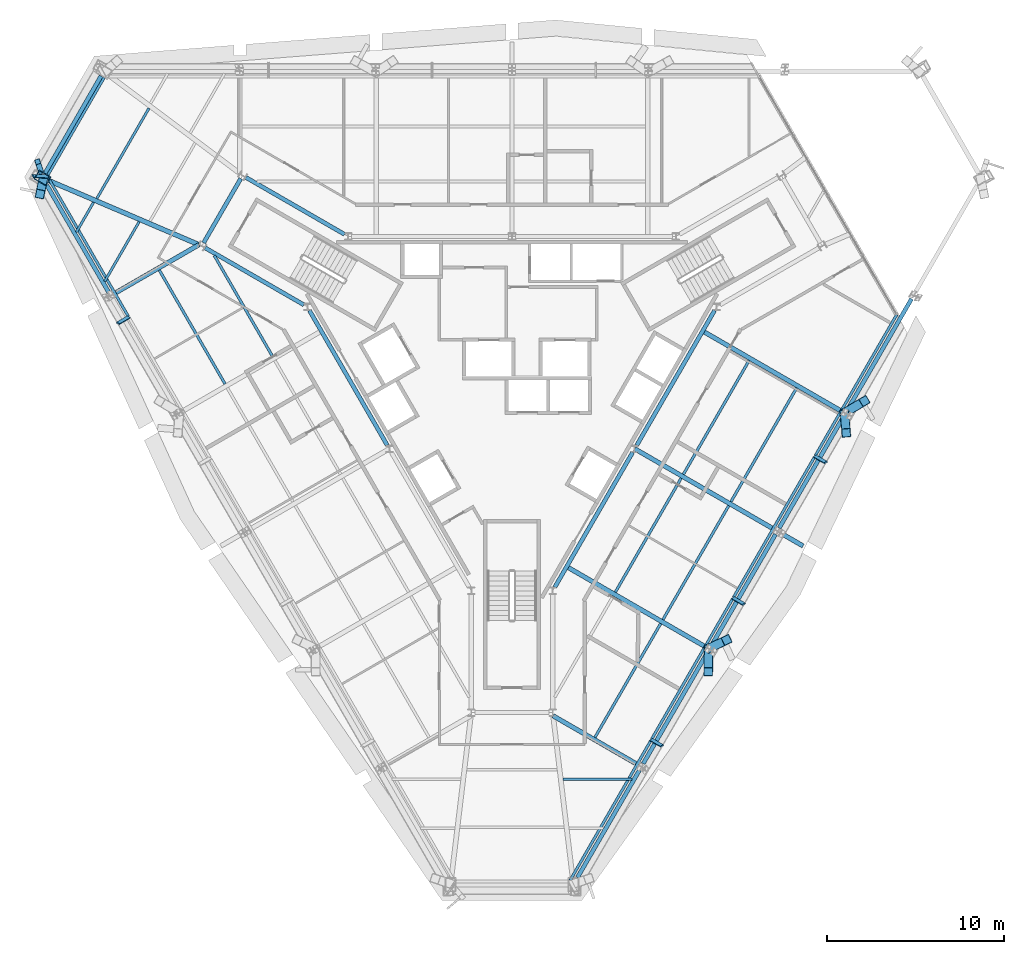
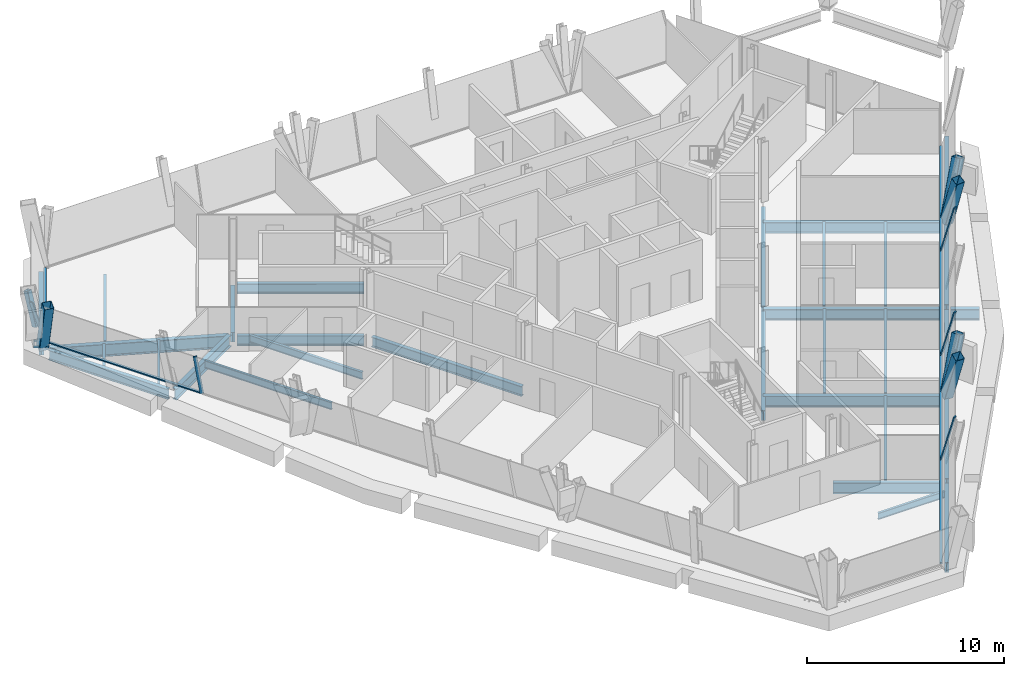
# One storey, part 3 of 12: 31 beams, 18 members, 3 elements without a shape of their own.
"""IFC4 building model written with IfcOpenShell, lengths in metres."""

from ifc_helpers import new_model, si_unit, direction, frame, origin, origin_2d, place, context, subcontext, project, spatial, rectangle, hollow_rectangle, i_section, extrude, material, material_profile, profile_set, type_object, element, aggregate, save


model = new_model("IFC4")

# Units and contexts
model_context = context("Model", 3, precision=1e-05, world=origin(), true_north=direction((0.0, 1.0)))
body_context = subcontext(model_context, "Body", "Model", "MODEL_VIEW")
ifc_project = project(units=[si_unit("LENGTHUNIT", "METRE"), si_unit("AREAUNIT", "SQUARE_METRE"), si_unit("VOLUMEUNIT", "CUBIC_METRE"), si_unit("PLANEANGLEUNIT", "RADIAN"), si_unit("MASSUNIT", "GRAM", prefix="KILO")], contexts=[model_context])

# Site, building, storey
site_placement = place(None, origin())
site = spatial("IfcSite", under=ifc_project, at=site_placement, CompositionType="ELEMENT")
building_placement = place(site_placement, origin())
building = spatial("IfcBuilding", under=site, at=building_placement, Name="Verrane Prism Tower", CompositionType="ELEMENT")
storey_placement = place(building_placement, frame((0.0, 0.0, 174.699951171875)))
storey = spatial("IfcBuildingStorey", under=building, at=storey_placement, Name="L43", CompositionType="ELEMENT", Elevation=174.699951171875)

# Member
ifc_material_1 = material(Name="Steel A500 Grade C", Category="steel")
ifc_material_profile_1 = material_profile(ifc_material_1, hollow_rectangle(XDim=0.3046875, YDim=0.3046875, WallThickness=0.0126953125, InnerFilletRadius=0.00634765625, OuterFilletRadius=0.01904296875, at=origin_2d()), Name="HSS12x12x1/2")
ifc_profile_set_1 = profile_set([ifc_material_profile_1], Name="Steel A500 Grade C")
member_type_1 = type_object("IfcMemberType", Name="Chamfer brace HSS12x12x1/2", PredefinedType="BRACE", material=ifc_profile_set_1)
member_1_placement = place(storey_placement, frame((-26.610107421875, 11.677001953125, 0.903564453125), z_axis=(-0.090665988498, 0.264711239147, 0.960056060029), x_axis=(-0.946046937984, -0.324029614589, 0.0)))
element("IfcMember", 1, at=member_1_placement, inside=storey, type_object=member_type_1, Name="Chamfer brace NW0 L43", PredefinedType="BRACE", context=body_context, shape_type="SweptSolid", body=[
    extrude(hollow_rectangle(XDim=0.3046875, YDim=0.3046875, WallThickness=0.0126953125, InnerFilletRadius=0.00634765625, OuterFilletRadius=0.01904296875, at=origin_2d()), origin(), (0.0, 0.0, 1.0), 2.043701171875),
])

# Beams
ifc_material_2 = material(Name="Steel A992", Category="steel")
ifc_material_profile_2 = material_profile(ifc_material_2, i_section(OverallWidth=0.2666015625, OverallDepth=0.7568359375, WebThickness=0.013916015625, FlangeThickness=0.019287109375, FilletRadius=0.0166015625, at=origin_2d()), Name="W30x108")
ifc_profile_set_2 = profile_set([ifc_material_profile_2], Name="Steel A992")
beam_type_1 = type_object("IfcBeamType", Name="Chamfer spandrel beam W30x108", PredefinedType="SPANDREL", material=ifc_profile_set_2)
beam_1_placement = place(storey_placement, frame((-23.19970703125, 17.050048828125, -0.538330078125), z_axis=(-0.498933745764, -0.866640131391, 0.0), x_axis=(0.866640131391, -0.498933745764, 0.0)))
element("IfcBeam", 2, at=beam_1_placement, inside=storey, type_object=beam_type_1, Name="Chamfer spandrel beam L43", PredefinedType="SPANDREL", context=body_context, shape_type="SweptSolid", body=[
    extrude(i_section(OverallWidth=0.2666015625, OverallDepth=0.7568359375, WebThickness=0.013916015625, FlangeThickness=0.019287109375, FilletRadius=0.0166015625, at=origin_2d()), origin(), (0.0, 0.0, 1.0), 6.334716796875),
])
ifc_material_3 = material(Name="Steel A992", Category="steel")
ifc_material_profile_3 = material_profile(ifc_material_3, i_section(OverallWidth=0.23046875, OverallDepth=0.6171875, WebThickness=0.01318359375, FlangeThickness=0.022216796875, FilletRadius=0.012939453125, at=origin_2d()), Name="W24x94")
ifc_profile_set_3 = profile_set([ifc_material_profile_3], Name="Steel A992")
beam_type_2 = type_object("IfcBeamType", Name="Core ring girder W24x94", PredefinedType="BEAM", material=ifc_profile_set_3)
beam_2_placement = place(storey_placement, frame((-9.460693359375, 8.11572265625, -0.55859375), z_axis=(-0.866075143088, 0.499913839102, 0.0), x_axis=(-0.499913839102, -0.866075143088, 0.0)))
element("IfcBeam", 3, at=beam_2_placement, inside=storey, type_object=beam_type_2, Name="Core ring girder L43", PredefinedType="BEAM", context=body_context, shape_type="SweptSolid", body=[
    extrude(i_section(OverallWidth=0.23046875, OverallDepth=0.6171875, WebThickness=0.01318359375, FlangeThickness=0.022216796875, FilletRadius=0.012939453125, at=origin_2d()), origin(), (0.0, 0.0, 1.0), 6.441650390625),
])
beam_3_placement = place(storey_placement, frame((-15.32177734375, 11.26416015625, -0.55859375), z_axis=(-0.500305747711, -0.865848808284, 0.0), x_axis=(0.865848808284, -0.500305747711, 0.0)))
element("IfcBeam", 4, at=beam_3_placement, inside=storey, type_object=beam_type_2, Name="Core ring girder L43", PredefinedType="BEAM", context=body_context, shape_type="SweptSolid", body=[
    extrude(i_section(OverallWidth=0.23046875, OverallDepth=0.6171875, WebThickness=0.01318359375, FlangeThickness=0.022216796875, FilletRadius=0.012939453125, at=origin_2d()), origin(), (0.0, 0.0, 1.0), 4.1904296875),
])
beam_4_placement = place(storey_placement, frame((-17.339599609375, 7.35595703125, -0.55859375), z_axis=(0.866075143088, -0.499913839102, 0.0), x_axis=(0.499913839102, 0.866075143088, 0.0)))
element("IfcBeam", 5, at=beam_4_placement, inside=storey, type_object=beam_type_2, Name="Core ring girder L43", PredefinedType="BEAM", context=body_context, shape_type="SweptSolid", body=[
    extrude(i_section(OverallWidth=0.23046875, OverallDepth=0.6171875, WebThickness=0.01318359375, FlangeThickness=0.022216796875, FilletRadius=0.012939453125, at=origin_2d()), origin(), (0.0, 0.0, 1.0), 6.441650390625),
])
beam_5_placement = place(storey_placement, frame((-11.44482421875, 3.820556640625, -0.55859375), z_axis=(0.499967414725, -0.866044216084, 0.0), x_axis=(0.866044216084, 0.499967414725, 0.0)))
element("IfcBeam", 6, at=beam_5_placement, inside=storey, type_object=beam_type_2, Name="Core ring girder L43", PredefinedType="BEAM", context=body_context, shape_type="SweptSolid", body=[
    extrude(i_section(OverallWidth=0.23046875, OverallDepth=0.6171875, WebThickness=0.01318359375, FlangeThickness=0.022216796875, FilletRadius=0.012939453125, at=origin_2d()), origin(), (0.0, 0.0, 1.0), 8.7998046875),
])
beam_6_placement = place(storey_placement, frame((2.4150390625, -11.820556640625, -0.55859375), z_axis=(0.499988222896, 0.866032203192, 0.0), x_axis=(-0.866032203192, 0.499988222896, 0.0)))
element("IfcBeam", 7, at=beam_6_placement, inside=storey, type_object=beam_type_2, Name="Core ring girder L43", PredefinedType="BEAM", context=body_context, shape_type="SweptSolid", body=[
    extrude(i_section(OverallWidth=0.23046875, OverallDepth=0.6171875, WebThickness=0.01318359375, FlangeThickness=0.022216796875, FilletRadius=0.012939453125, at=origin_2d()), origin(), (0.0, 0.0, 1.0), 8.800048828125),
])
beam_7_placement = place(storey_placement, frame((7.045166015625, -3.800537109375, -0.55859375), z_axis=(0.499967414725, 0.866044216084, 0.0), x_axis=(-0.866044216084, 0.499967414725, 0.0)))
element("IfcBeam", 8, at=beam_7_placement, inside=storey, type_object=beam_type_2, Name="Core ring girder L43", PredefinedType="BEAM", context=body_context, shape_type="SweptSolid", body=[
    extrude(i_section(OverallWidth=0.23046875, OverallDepth=0.6171875, WebThickness=0.01318359375, FlangeThickness=0.022216796875, FilletRadius=0.012939453125, at=origin_2d()), origin(), (0.0, 0.0, 1.0), 8.7998046875),
])
ifc_material_4 = material(Name="Steel A992", Category="steel")
ifc_material_profile_4 = material_profile(ifc_material_4, i_section(OverallWidth=0.2666015625, OverallDepth=0.76708984375, WebThickness=0.014892578125, FlangeThickness=0.023681640625, FilletRadius=0.0166015625, at=origin_2d()), Name="W30x124")
ifc_profile_set_4 = profile_set([ifc_material_profile_4], Name="Steel A992")
beam_type_3 = type_object("IfcBeamType", Name="Corner girder W30x124", PredefinedType="BEAM", material=ifc_profile_set_4)
beam_8_placement = place(storey_placement, frame((-26.139404296875, 11.1416015625, -0.603515625), z_axis=(0.919628068882, -0.392790293827, 0.0), x_axis=(0.392790293827, 0.919628068882, 0.0)))
element("IfcBeam", 9, at=beam_8_placement, inside=storey, type_object=beam_type_3, Name="Corner girder L43", PredefinedType="BEAM", context=body_context, shape_type="SweptSolid", body=[
    extrude(i_section(OverallWidth=0.2666015625, OverallDepth=0.76708984375, WebThickness=0.014892578125, FlangeThickness=0.023681640625, FilletRadius=0.0166015625, at=origin_2d()), origin(), (0.0, 0.0, 1.0), 9.162841796875),
])

# Members
ifc_material_5 = material(Name="Steel A500 Grade C", Category="steel")
ifc_material_profile_5 = material_profile(ifc_material_5, hollow_rectangle(XDim=0.508056640625, YDim=0.508056640625, WallThickness=0.01904296875, InnerFilletRadius=0.009521484375, OuterFilletRadius=0.028564453125, at=origin_2d()), Name="HSS20x20x3/4")
ifc_profile_set_5 = profile_set([ifc_material_profile_5], Name="Steel A500 Grade C")
member_type_2 = type_object("IfcMemberType", Name="Facade brace HSS20x20x3/4", PredefinedType="BRACE", material=ifc_profile_set_5)
member_2_placement = place(storey_placement, frame((-26.479248046875, 11.24658203125, -0.171630859375), z_axis=(-0.053973187022, -0.26210215717, 0.963529633322), x_axis=(0.979448939725, -0.201692276679, 0.0)))
element("IfcMember", 10, at=member_2_placement, inside=storey, type_object=member_type_2, Name="Facade brace SW0 L43", PredefinedType="BRACE", context=body_context, shape_type="SweptSolid", body=[
    extrude(hollow_rectangle(XDim=0.508056640625, YDim=0.508056640625, WallThickness=0.01904296875, InnerFilletRadius=0.009521484375, OuterFilletRadius=0.028564453125, at=origin_2d()), origin(), (0.0, 0.0, 1.0), 3.2705078125),
])
member_3_placement = place(storey_placement, frame((11.1005859375, -15.395263671875, -0.171630859375), z_axis=(-0.004344610647, -0.355678791673, 0.934598160448), x_axis=(0.999925405434, -0.012214072542, 0.0)))
element("IfcMember", 11, at=member_3_placement, inside=storey, type_object=member_type_2, Name="Facade brace SE1 L43", PredefinedType="BRACE", context=body_context, shape_type="SweptSolid", body=[
    extrude(hollow_rectangle(XDim=0.508056640625, YDim=0.508056640625, WallThickness=0.01904296875, InnerFilletRadius=0.009521484375, OuterFilletRadius=0.028564453125, at=origin_2d()), origin(), (0.0, 0.0, 1.0), 3.37158203125),
])
member_4_placement = place(storey_placement, frame((11.18994140625, -15.240478515625, -0.171630859375), z_axis=(0.281583021635, 0.133761137336, 0.950167858889), x_axis=(-0.429080898862, 0.903266063921, 0.0)))
element("IfcMember", 12, at=member_4_placement, inside=storey, type_object=member_type_2, Name="Facade brace SE2 L43", PredefinedType="BRACE", context=body_context, shape_type="SweptSolid", body=[
    extrude(hollow_rectangle(XDim=0.508056640625, YDim=0.508056640625, WallThickness=0.01904296875, InnerFilletRadius=0.009521484375, OuterFilletRadius=0.028564453125, at=origin_2d()), origin(), (0.0, 0.0, 1.0), 3.31640625),
])
member_5_placement = place(storey_placement, frame((18.7900390625, -2.0693359375, -0.171630859375), z_axis=(0.025620472183, -0.310464170103, 0.950239754213), x_axis=(0.996612260534, 0.082243553869, 0.0)))
element("IfcMember", 13, at=member_5_placement, inside=storey, type_object=member_type_2, Name="Facade brace SE3 L43", PredefinedType="BRACE", context=body_context, shape_type="SweptSolid", body=[
    extrude(hollow_rectangle(XDim=0.508056640625, YDim=0.508056640625, WallThickness=0.01904296875, InnerFilletRadius=0.009521484375, OuterFilletRadius=0.028564453125, at=origin_2d()), origin(), (0.0, 0.0, 1.0), 3.316162109375),
])
member_6_placement = place(storey_placement, frame((18.87939453125, -1.91455078125, -0.171630859375), z_axis=(0.306155746735, 0.182144208746, 0.934393999318), x_axis=(-0.511294495526, 0.859405572966, 0.0)))
element("IfcMember", 14, at=member_6_placement, inside=storey, type_object=member_type_2, Name="Facade brace SE4 L43", PredefinedType="BRACE", context=body_context, shape_type="SweptSolid", body=[
    extrude(hollow_rectangle(XDim=0.508056640625, YDim=0.508056640625, WallThickness=0.01904296875, InnerFilletRadius=0.009521484375, OuterFilletRadius=0.028564453125, at=origin_2d()), origin(), (0.0, 0.0, 1.0), 3.372314453125),
])

# Beams
ifc_material_6 = material(Name="Steel A992", Category="steel")
ifc_material_profile_6 = material_profile(ifc_material_6, i_section(OverallWidth=0.140380859375, OverallDepth=0.40380859375, WebThickness=0.007080078125, FlangeThickness=0.01123046875, FilletRadius=0.01025390625, at=origin_2d()), Name="W16x31")
ifc_profile_set_6 = profile_set([ifc_material_profile_6], Name="Steel A992")
beam_type_4 = type_object("IfcBeamType", Name="Floor beam W16x31", PredefinedType="BEAM", material=ifc_profile_set_6)
beam_9_placement = place(storey_placement, frame((-23.00537109375, 5.460693359375, -0.36181640625), z_axis=(0.500001430823, 0.866024577697, 0.0), x_axis=(-0.866024577697, 0.500001430823, 0.0)))
element("IfcBeam", 15, at=beam_9_placement, inside=storey, type_object=beam_type_4, Name="Floor beam L43", PredefinedType="BEAM", context=body_context, shape_type="SweptSolid", body=[
    extrude(i_section(OverallWidth=0.140380859375, OverallDepth=0.40380859375, WebThickness=0.007080078125, FlangeThickness=0.01123046875, FilletRadius=0.01025390625, at=origin_2d()), origin(), (0.0, 0.0, 1.0), 3.888671875),
])
beam_10_placement = place(storey_placement, frame((-24.60888671875, 8.23779296875, -0.36181640625), z_axis=(0.499935549689, 0.866062610991, 0.0), x_axis=(-0.866062610991, 0.499935549689, 0.0)))
element("IfcBeam", 16, at=beam_10_placement, inside=storey, type_object=beam_type_4, Name="Floor beam L43", PredefinedType="BEAM", context=body_context, shape_type="SweptSolid", body=[
    extrude(i_section(OverallWidth=0.140380859375, OverallDepth=0.40380859375, WebThickness=0.007080078125, FlangeThickness=0.01123046875, FilletRadius=0.01025390625, at=origin_2d()), origin(), (0.0, 0.0, 1.0), 1.950439453125),
])
beam_11_placement = place(storey_placement, frame((2.885986328125, -22.65673828125, -0.36181640625), z_axis=(1.0, 0.0, 0.0), x_axis=(0.0, 1.0, 0.0)))
element("IfcBeam", 17, at=beam_11_placement, inside=storey, type_object=beam_type_4, Name="Floor beam L43", PredefinedType="BEAM", context=body_context, shape_type="SweptSolid", body=[
    extrude(i_section(OverallWidth=0.140380859375, OverallDepth=0.40380859375, WebThickness=0.007080078125, FlangeThickness=0.01123046875, FilletRadius=0.01025390625, at=origin_2d()), origin(), (0.0, 0.0, 1.0), 3.888916015625),
])
beam_12_placement = place(storey_placement, frame((-23.450439453125, 10.138916015625, -0.36181640625), z_axis=(0.499984561422, 0.866034317068, 0.0), x_axis=(-0.866034317068, 0.499984561422, 0.0)))
element("IfcBeam", 18, at=beam_12_placement, inside=storey, type_object=beam_type_4, Name="Floor beam L43", PredefinedType="BEAM", context=body_context, shape_type="SweptSolid", body=[
    extrude(i_section(OverallWidth=0.140380859375, OverallDepth=0.40380859375, WebThickness=0.007080078125, FlangeThickness=0.01123046875, FilletRadius=0.01025390625, at=origin_2d()), origin(), (0.0, 0.0, 1.0), 5.885986328125),
])
ifc_material_7 = material(Name="Steel A992", Category="steel")
ifc_material_profile_7 = material_profile(ifc_material_7, i_section(OverallWidth=0.15234375, OverallDepth=0.449462890625, WebThickness=0.007568359375, FlangeThickness=0.0107421875, FilletRadius=0.01025390625, at=origin_2d()), Name="W18x35")
ifc_profile_set_7 = profile_set([ifc_material_profile_7], Name="Steel A992")
beam_type_5 = type_object("IfcBeamType", Name="Floor beam W18x35", PredefinedType="BEAM", material=ifc_profile_set_7)
beam_13_placement = place(storey_placement, frame((-13.519775390625, 1.210205078125, -0.384765625), z_axis=(-0.500012988063, 0.866017904993, 0.0), x_axis=(-0.866017904993, -0.500012988063, 0.0)))
element("IfcBeam", 19, at=beam_13_placement, inside=storey, type_object=beam_type_5, Name="Floor beam L43", PredefinedType="BEAM", context=body_context, shape_type="SweptSolid", body=[
    extrude(i_section(OverallWidth=0.15234375, OverallDepth=0.449462890625, WebThickness=0.007568359375, FlangeThickness=0.0107421875, FilletRadius=0.01025390625, at=origin_2d()), origin(), (0.0, 0.0, 1.0), 6.594970703125),
])
beam_14_placement = place(storey_placement, frame((-16.206787109375, -0.340087890625, -0.384765625), z_axis=(-0.50000040832, 0.866025168041, 0.0), x_axis=(-0.866025168041, -0.50000040832, 0.0)))
element("IfcBeam", 20, at=beam_14_placement, inside=storey, type_object=beam_type_5, Name="Floor beam L43", PredefinedType="BEAM", context=body_context, shape_type="SweptSolid", body=[
    extrude(i_section(OverallWidth=0.15234375, OverallDepth=0.449462890625, WebThickness=0.007568359375, FlangeThickness=0.0107421875, FilletRadius=0.01025390625, at=origin_2d()), origin(), (0.0, 0.0, 1.0), 7.42578125),
])
beam_15_placement = place(storey_placement, frame((4.686279296875, -20.299072265625, -0.384765625), z_axis=(0.500022277658, 0.866012541391, 0.0), x_axis=(-0.866012541391, 0.500022277658, 0.0)))
element("IfcBeam", 21, at=beam_15_placement, inside=storey, type_object=beam_type_5, Name="Floor beam L43", PredefinedType="BEAM", context=body_context, shape_type="SweptSolid", body=[
    extrude(i_section(OverallWidth=0.15234375, OverallDepth=0.449462890625, WebThickness=0.007568359375, FlangeThickness=0.0107421875, FilletRadius=0.01025390625, at=origin_2d()), origin(), (0.0, 0.0, 1.0), 7.424560546875),
])
beam_16_placement = place(storey_placement, frame((8.525390625, -13.6494140625, -0.384765625), z_axis=(0.500006734102, 0.866021515814, 0.0), x_axis=(-0.866021515814, 0.500006734102, 0.0)))
element("IfcBeam", 22, at=beam_16_placement, inside=storey, type_object=beam_type_5, Name="Floor beam L43", PredefinedType="BEAM", context=body_context, shape_type="SweptSolid", body=[
    extrude(i_section(OverallWidth=0.15234375, OverallDepth=0.449462890625, WebThickness=0.007568359375, FlangeThickness=0.0107421875, FilletRadius=0.01025390625, at=origin_2d()), origin(), (0.0, 0.0, 1.0), 7.43408203125),
])
beam_17_placement = place(storey_placement, frame((5.837646484375, -12.098388671875, -0.384765625), z_axis=(0.499996323716, 0.866027526278, 0.0), x_axis=(-0.866027526278, 0.499996323716, 0.0)))
element("IfcBeam", 23, at=beam_17_placement, inside=storey, type_object=beam_type_5, Name="Floor beam L43", PredefinedType="BEAM", context=body_context, shape_type="SweptSolid", body=[
    extrude(i_section(OverallWidth=0.15234375, OverallDepth=0.449462890625, WebThickness=0.007568359375, FlangeThickness=0.0107421875, FilletRadius=0.01025390625, at=origin_2d()), origin(), (0.0, 0.0, 1.0), 7.43359375),
])
for number, where, z_axis, x_axis, name in (
    (24, (12.3671875, -6.990234375, -0.384765625), (0.499979562871, 0.866037202845, 0.0), (-0.866037202845, 0.499979562871, 0.0), "Floor beam L43"),
    (25, (9.680419921875, -5.440185546875, -0.384765625), (0.499979562871, 0.866037202845, 0.0), (-0.866037202845, 0.499979562871, 0.0), "Floor beam L43"),
):
    element("IfcBeam", number, at=place(storey_placement, frame(where, z_axis=z_axis, x_axis=x_axis)), inside=storey, type_object=beam_type_5, Name=name, PredefinedType="BEAM", context=body_context, shape_type="SweptSolid", body=[
        extrude(i_section(OverallWidth=0.15234375, OverallDepth=0.449462890625, WebThickness=0.007568359375, FlangeThickness=0.0107421875, FilletRadius=0.01025390625, at=origin_2d()), origin(), (0.0, 0.0, 1.0), 7.425048828125),
    ])

# Member
ifc_material_8 = material(Name="Steel A572 Grade 50", Category="steel")
ifc_material_profile_8 = material_profile(ifc_material_8, hollow_rectangle(XDim=0.60009765625, YDim=0.800048828125, WallThickness=0.050048828125, at=origin_2d()), Name="BOX 800x600x50")
ifc_profile_set_8 = profile_set([ifc_material_profile_8], Name="Steel A572 Grade 50")
member_type_3 = type_object("IfcMemberType", Name="Kink node BOX 800x600x50", PredefinedType="COLLAR", material=ifc_profile_set_8)
member_7_placement = place(storey_placement, frame((-26.51708984375, 11.300048828125, -0.06494140625), z_axis=(0.0, 0.0, 1.0), x_axis=(0.5, 0.866025403784, 0.0)))
element("IfcMember", 26, at=member_7_placement, inside=storey, type_object=member_type_3, Name="Kink node MC4 L43", PredefinedType="COLLAR", context=body_context, shape_type="SweptSolid", body=[
    extrude(hollow_rectangle(XDim=0.60009765625, YDim=0.800048828125, WallThickness=0.050048828125, at=origin_2d()), origin(), (0.0, 0.0, 1.0), 0.1298828125),
])

# Curtain wall, members
ifc_material_9 = material(Name="Aluminium framed insulated glazing", Category="aluminium")
curtain_wall_type = type_object("IfcCurtainWallType", Name="Curtain wall CW-A 8400 module", PredefinedType="NOTDEFINED", material=ifc_material_9)
curtain_wall_1_placement = place(storey_placement, origin())
curtain_wall_1 = element("IfcCurtainWall", 27, at=curtain_wall_1_placement, inside=storey, type_object=curtain_wall_type, Name="Glazed curtain wall south-west face L43", PredefinedType="NOTDEFINED")
ifc_material_10 = material(Name="Aluminium alloy 6063-T6", Category="aluminium")
ifc_material_profile_9 = material_profile(ifc_material_10, rectangle(XDim=0.199951171875, YDim=0.070068359375, at=origin_2d()), Name="Mullion 70x200 aluminium")
ifc_profile_set_9 = profile_set([ifc_material_profile_9], Name="Aluminium alloy 6063-T6")
member_type_4 = type_object("IfcMemberType", Name="Mullion 70x200 aluminium", PredefinedType="MULLION", material=ifc_profile_set_9)
member_8_placement = place(storey_placement, frame((-26.23388671875, 11.376220703125, 0.0), z_axis=(-0.291230396229, 0.010760803881, 0.956592421783), x_axis=(0.44599175178, -0.883096090586, 0.145714282541)))
member_8 = element("IfcMember", 28, at=member_8_placement, type_object=member_type_4, Name="CW42.4 mullion 1", PredefinedType="MULLION", context=body_context, shape_type="SweptSolid", body=[
    extrude(rectangle(XDim=0.199951171875, YDim=0.070068359375, at=origin_2d()), origin(), (0.0, 0.0, 1.0), 2.8359375),
])
member_9_placement = place(storey_placement, frame((-21.650390625, 3.437744140625, 0.0), z_axis=(-0.216447961734, -0.124954258103, 0.968264795004), x_axis=(0.852261946998, -0.507970287215, 0.12496303856)))
member_9 = element("IfcMember", 29, at=member_9_placement, type_object=member_type_4, Name="CW42.4 mullion 2", PredefinedType="MULLION", context=body_context, shape_type="SweptSolid", body=[
    extrude(rectangle(XDim=0.199951171875, YDim=0.070068359375, at=origin_2d()), origin(), (0.0, 0.0, 1.0), 2.8017578125),
])

curtain_wall_2_placement = place(storey_placement, origin())
curtain_wall_2 = element("IfcCurtainWall", 30, at=curtain_wall_2_placement, inside=storey, type_object=curtain_wall_type, Name="Glazed curtain wall south-east face L43", PredefinedType="NOTDEFINED")
member_10_placement = place(storey_placement, frame((7.869140625, -20.43212890625, 0.0), z_axis=(0.216364904862, -0.124956614407, 0.968283053895), x_axis=(-0.8523580609, -0.507817737629, 0.124927504451)))
member_10 = element("IfcMember", 31, at=member_10_placement, type_object=member_type_4, Name="CW42.6 mullion 2", PredefinedType="MULLION", context=body_context, shape_type="SweptSolid", body=[
    extrude(rectangle(XDim=0.199951171875, YDim=0.070068359375, at=origin_2d()), origin(), (0.0, 0.0, 1.0), 2.8017578125),
])
member_11_placement = place(storey_placement, frame((12.4912109375, -12.4267578125, 0.0), z_axis=(0.216364904862, -0.124956614407, 0.968283053895), x_axis=(-0.8523580609, -0.507817737629, 0.124927504451)))
member_11 = element("IfcMember", 32, at=member_11_placement, type_object=member_type_4, Name="CW42.6 mullion 3", PredefinedType="MULLION", context=body_context, shape_type="SweptSolid", body=[
    extrude(rectangle(XDim=0.199951171875, YDim=0.070068359375, at=origin_2d()), origin(), (0.0, 0.0, 1.0), 2.8017578125),
])
member_12_placement = place(storey_placement, frame((17.113037109375, -4.42138671875, 0.0), z_axis=(0.216364904862, -0.124956614407, 0.968283053895), x_axis=(-0.8523580609, -0.507817737629, 0.124927504451)))
member_12 = element("IfcMember", 33, at=member_12_placement, type_object=member_type_4, Name="CW42.6 mullion 4", PredefinedType="MULLION", context=body_context, shape_type="SweptSolid", body=[
    extrude(rectangle(XDim=0.199951171875, YDim=0.070068359375, at=origin_2d()), origin(), (0.0, 0.0, 1.0), 2.8017578125),
])

# Beams
ifc_material_11 = material(Name="Steel A992", Category="steel")
ifc_material_profile_10 = material_profile(ifc_material_11, i_section(OverallWidth=0.25390625, OverallDepth=0.683349609375, WebThickness=0.012451171875, FlangeThickness=0.01904296875, FilletRadius=0.01513671875, at=origin_2d()), Name="W27x94")
ifc_profile_set_10 = profile_set([ifc_material_profile_10], Name="Steel A992")
beam_type_6 = type_object("IfcBeamType", Name="Radial girder W27x94", PredefinedType="BEAM", material=ifc_profile_set_10)
beam_18_placement = place(storey_placement, frame((-22.48193359375, 4.758544921875, -0.5615234375), z_axis=(0.866016849815, 0.500014815617, 0.0), x_axis=(-0.500014815617, 0.866016849815, 0.0)))
element("IfcBeam", 34, at=beam_18_placement, inside=storey, type_object=beam_type_6, Name="Radial girder L43", PredefinedType="BEAM", context=body_context, shape_type="SweptSolid", body=[
    extrude(i_section(OverallWidth=0.25390625, OverallDepth=0.683349609375, WebThickness=0.012451171875, FlangeThickness=0.01904296875, FilletRadius=0.01513671875, at=origin_2d()), origin(), (0.0, 0.0, 1.0), 5.541748046875),
])
beam_19_placement = place(storey_placement, frame((7.121826171875, -21.851318359375, -0.5615234375), z_axis=(-0.866030813765, 0.499990629522, 0.0), x_axis=(-0.499990629522, -0.866030813765, 0.0)))
element("IfcBeam", 35, at=beam_19_placement, inside=storey, type_object=beam_type_6, Name="Radial girder L43", PredefinedType="BEAM", context=body_context, shape_type="SweptSolid", body=[
    extrude(i_section(OverallWidth=0.25390625, OverallDepth=0.683349609375, WebThickness=0.012451171875, FlangeThickness=0.01904296875, FilletRadius=0.01513671875, at=origin_2d()), origin(), (0.0, 0.0, 1.0), 5.54248046875),
])
beam_20_placement = place(storey_placement, frame((10.9619140625, -15.201416015625, -0.5615234375), z_axis=(-0.866021925876, 0.500006023866, 0.0), x_axis=(-0.500006023866, -0.866021925876, 0.0)))
element("IfcBeam", 36, at=beam_20_placement, inside=storey, type_object=beam_type_6, Name="Radial girder L43", PredefinedType="BEAM", context=body_context, shape_type="SweptSolid", body=[
    extrude(i_section(OverallWidth=0.25390625, OverallDepth=0.683349609375, WebThickness=0.012451171875, FlangeThickness=0.01904296875, FilletRadius=0.01513671875, at=origin_2d()), origin(), (0.0, 0.0, 1.0), 9.09228515625),
])
beam_21_placement = place(storey_placement, frame((14.802001953125, -8.54150390625, -0.5615234375), z_axis=(-0.866020960005, 0.500007696773, 0.0), x_axis=(-0.500007696773, -0.866020960005, 0.0)))
element("IfcBeam", 37, at=beam_21_placement, inside=storey, type_object=beam_type_6, Name="Radial girder L43", PredefinedType="BEAM", context=body_context, shape_type="SweptSolid", body=[
    extrude(i_section(OverallWidth=0.25390625, OverallDepth=0.683349609375, WebThickness=0.012451171875, FlangeThickness=0.01904296875, FilletRadius=0.01513671875, at=origin_2d()), origin(), (0.0, 0.0, 1.0), 9.088134765625),
])
beam_22_placement = place(storey_placement, frame((18.641845703125, -1.891357421875, -0.5615234375), z_axis=(-0.866022759689, 0.500004579679, 0.0), x_axis=(-0.500004579679, -0.866022759689, 0.0)))
element("IfcBeam", 38, at=beam_22_placement, inside=storey, type_object=beam_type_6, Name="Radial girder L43", PredefinedType="BEAM", context=body_context, shape_type="SweptSolid", body=[
    extrude(i_section(OverallWidth=0.25390625, OverallDepth=0.683349609375, WebThickness=0.012451171875, FlangeThickness=0.01904296875, FilletRadius=0.01513671875, at=origin_2d()), origin(), (0.0, 0.0, 1.0), 9.0888671875),
])
beam_23_placement = place(storey_placement, frame((15.174560546875, -8.756591796875, -0.5615234375), z_axis=(0.866035418383, -0.499982653806, 0.0), x_axis=(0.499982653806, 0.866035418383, 0.0)))
element("IfcBeam", 39, at=beam_23_placement, inside=storey, type_object=beam_type_6, Name="Cantilever girder L43", PredefinedType="BEAM", context=body_context, shape_type="SweptSolid", body=[
    extrude(i_section(OverallWidth=0.25390625, OverallDepth=0.683349609375, WebThickness=0.012451171875, FlangeThickness=0.01904296875, FilletRadius=0.01513671875, at=origin_2d()), origin(), (0.0, 0.0, 1.0), 1.4619140625),
])
ifc_material_12 = material(Name="Steel A992", Category="steel")
ifc_material_profile_11 = material_profile(ifc_material_12, i_section(OverallWidth=0.23046875, OverallDepth=0.6171875, WebThickness=0.01318359375, FlangeThickness=0.022216796875, FilletRadius=0.012939453125, at=origin_2d()), Name="W24x94")
ifc_profile_set_11 = profile_set([ifc_material_profile_11], Name="Steel A992")
beam_type_7 = type_object("IfcBeamType", Name="Spandrel beam W24x94", PredefinedType="SPANDREL", material=ifc_profile_set_11)
for number, where, z_axis, x_axis, name in (
    (40, (-26.279052734375, 10.89990234375, -0.468505859375), (0.5000600333, -0.865990740768, 0.0), (0.865990740768, 0.5000600333, 0.0), "Spandrel beam L43"),
    (41, (3.700927734375, -28.2099609375, -0.468505859375), (0.5000600333, 0.865990740768, 0.0), (-0.865990740768, 0.5000600333, 0.0), "Spandrel beam L43"),
):
    element("IfcBeam", number, at=place(storey_placement, frame(where, z_axis=z_axis, x_axis=x_axis)), inside=storey, type_object=beam_type_7, Name=name, PredefinedType="SPANDREL", context=body_context, shape_type="SweptSolid", body=[
        extrude(i_section(OverallWidth=0.23046875, OverallDepth=0.6171875, WebThickness=0.01318359375, FlangeThickness=0.022216796875, FilletRadius=0.012939453125, at=origin_2d()), origin(), (0.0, 0.0, 1.0), 7.011474609375),
    ])
beam_24_placement = place(storey_placement, frame((7.412841796875, -21.78173828125, -0.468505859375), z_axis=(0.50007721572, 0.865980818678, 0.0), x_axis=(-0.865980818678, 0.50007721572, 0.0)))
element("IfcBeam", 42, at=beam_24_placement, inside=storey, type_object=beam_type_7, Name="Spandrel beam L43", PredefinedType="SPANDREL", context=body_context, shape_type="SweptSolid", body=[
    extrude(i_section(OverallWidth=0.23046875, OverallDepth=0.6171875, WebThickness=0.01318359375, FlangeThickness=0.022216796875, FilletRadius=0.012939453125, at=origin_2d()), origin(), (0.0, 0.0, 1.0), 7.267333984375),
])
beam_25_placement = place(storey_placement, frame((11.252685546875, -15.1318359375, -0.468505859375), z_axis=(0.499492001644, 0.866318498183, 0.0), x_axis=(-0.866318498183, 0.499492001644, 0.0)))
element("IfcBeam", 43, at=beam_25_placement, inside=storey, type_object=beam_type_7, Name="Spandrel beam L43", PredefinedType="SPANDREL", context=body_context, shape_type="SweptSolid", body=[
    extrude(i_section(OverallWidth=0.23046875, OverallDepth=0.6171875, WebThickness=0.01318359375, FlangeThickness=0.022216796875, FilletRadius=0.012939453125, at=origin_2d()), origin(), (0.0, 0.0, 1.0), 7.2763671875),
])
for number, where, z_axis, x_axis, name in (
    (44, (15.093017578125, -8.4716796875, -0.468505859375), (0.500052022334, 0.865995366592, 0.0), (-0.865995366592, 0.500052022334, 0.0), "Spandrel beam L43"),
    (45, (18.932861328125, -1.82177734375, -0.468505859375), (0.50007721572, 0.865980818678, 0.0), (-0.865980818678, 0.50007721572, 0.0), "Spandrel beam L43"),
):
    element("IfcBeam", number, at=place(storey_placement, frame(where, z_axis=z_axis, x_axis=x_axis)), inside=storey, type_object=beam_type_7, Name=name, PredefinedType="SPANDREL", context=body_context, shape_type="SweptSolid", body=[
        extrude(i_section(OverallWidth=0.23046875, OverallDepth=0.6171875, WebThickness=0.01318359375, FlangeThickness=0.022216796875, FilletRadius=0.012939453125, at=origin_2d()), origin(), (0.0, 0.0, 1.0), 7.267333984375),
    ])

# Curtain wall, member
curtain_wall_3_placement = place(storey_placement, origin())
curtain_wall_3 = element("IfcCurtainWall", 46, at=curtain_wall_3_placement, inside=storey, type_object=curtain_wall_type, Name="Glazed curtain wall north-west corner L43", PredefinedType="NOTDEFINED")
ifc_material_13 = material(Name="Aluminium alloy 6063-T6", Category="aluminium")
ifc_material_profile_12 = material_profile(ifc_material_13, rectangle(XDim=0.14990234375, YDim=0.070068359375, at=origin_2d()), Name="Transom 70x150 aluminium")
ifc_profile_set_12 = profile_set([ifc_material_profile_12], Name="Aluminium alloy 6063-T6")
member_type_5 = type_object("IfcMemberType", Name="Transom 70x150 aluminium", PredefinedType="USERDEFINED", material=ifc_profile_set_12)
member_13_placement = place(storey_placement, frame((-23.0390625, 16.970458984375, 0.03515625), z_axis=(-0.499976839226, -0.86603877525, 0.0), x_axis=(0.86603877525, -0.499976839226, 0.0)))
member_13 = element("IfcMember", 47, at=member_13_placement, type_object=member_type_5, Name="CW42.3 transom 1", ObjectType="TRANSOM", PredefinedType="USERDEFINED", context=body_context, shape_type="SweptSolid", body=[
    extrude(rectangle(XDim=0.14990234375, YDim=0.070068359375, at=origin_2d()), origin(), (0.0, 0.0, 1.0), 6.424560546875),
])
aggregate(curtain_wall_3, [member_13])

# Member
member_14_placement = place(storey_placement, frame((-26.21630859375, 11.345947265625, 0.03515625), z_axis=(0.500001238203, -0.866024688907, 0.0), x_axis=(0.866024688907, 0.500001238203, 0.0)))
member_14 = element("IfcMember", 48, at=member_14_placement, type_object=member_type_5, Name="CW42.4 transom 1", ObjectType="TRANSOM", PredefinedType="USERDEFINED", context=body_context, shape_type="SweptSolid", body=[
    extrude(rectangle(XDim=0.14990234375, YDim=0.070068359375, at=origin_2d()), origin(), (0.0, 0.0, 1.0), 9.0966796875),
])

aggregate(curtain_wall_1, [member_8, member_9, member_14])

member_15_placement = place(storey_placement, frame((3.2822265625, -28.376953125, 0.03515625), z_axis=(0.500009195793, 0.866020094525, 0.0), x_axis=(-0.866020094525, 0.500009195793, 0.0)))
member_15 = element("IfcMember", 49, at=member_15_placement, type_object=member_type_5, Name="CW42.6 transom 1", ObjectType="TRANSOM", PredefinedType="USERDEFINED", context=body_context, shape_type="SweptSolid", body=[
    extrude(rectangle(XDim=0.14990234375, YDim=0.070068359375, at=origin_2d()), origin(), (0.0, 0.0, 1.0), 9.138916015625),
])

member_16_placement = place(storey_placement, frame((7.88671875, -20.40185546875, 0.03515625), z_axis=(0.49999735617, 0.866026930195, 0.0), x_axis=(-0.866026930195, 0.49999735617, 0.0)))
member_16 = element("IfcMember", 50, at=member_16_placement, type_object=member_type_5, Name="CW42.6 transom 2", ObjectType="TRANSOM", PredefinedType="USERDEFINED", context=body_context, shape_type="SweptSolid", body=[
    extrude(rectangle(XDim=0.14990234375, YDim=0.070068359375, at=origin_2d()), origin(), (0.0, 0.0, 1.0), 9.173828125),
])

member_17_placement = place(storey_placement, frame((12.508544921875, -12.396484375, 0.03515625), z_axis=(0.49999735617, 0.866026930195, 0.0), x_axis=(-0.866026930195, 0.49999735617, 0.0)))
member_17 = element("IfcMember", 51, at=member_17_placement, type_object=member_type_5, Name="CW42.6 transom 3", ObjectType="TRANSOM", PredefinedType="USERDEFINED", context=body_context, shape_type="SweptSolid", body=[
    extrude(rectangle(XDim=0.14990234375, YDim=0.070068359375, at=origin_2d()), origin(), (0.0, 0.0, 1.0), 9.173828125),
])

member_18_placement = place(storey_placement, frame((17.130615234375, -4.39111328125, 0.03515625), z_axis=(0.499985606157, 0.866033713914, 0.0), x_axis=(-0.866033713914, 0.499985606157, 0.0)))
member_18 = element("IfcMember", 52, at=member_18_placement, type_object=member_type_5, Name="CW42.6 transom 4", ObjectType="TRANSOM", PredefinedType="USERDEFINED", context=body_context, shape_type="SweptSolid", body=[
    extrude(rectangle(XDim=0.14990234375, YDim=0.070068359375, at=origin_2d()), origin(), (0.0, 0.0, 1.0), 9.208740234375),
])

aggregate(curtain_wall_2, [member_10, member_11, member_12, member_15, member_16, member_17, member_18])

save(model, "model.ifc")
